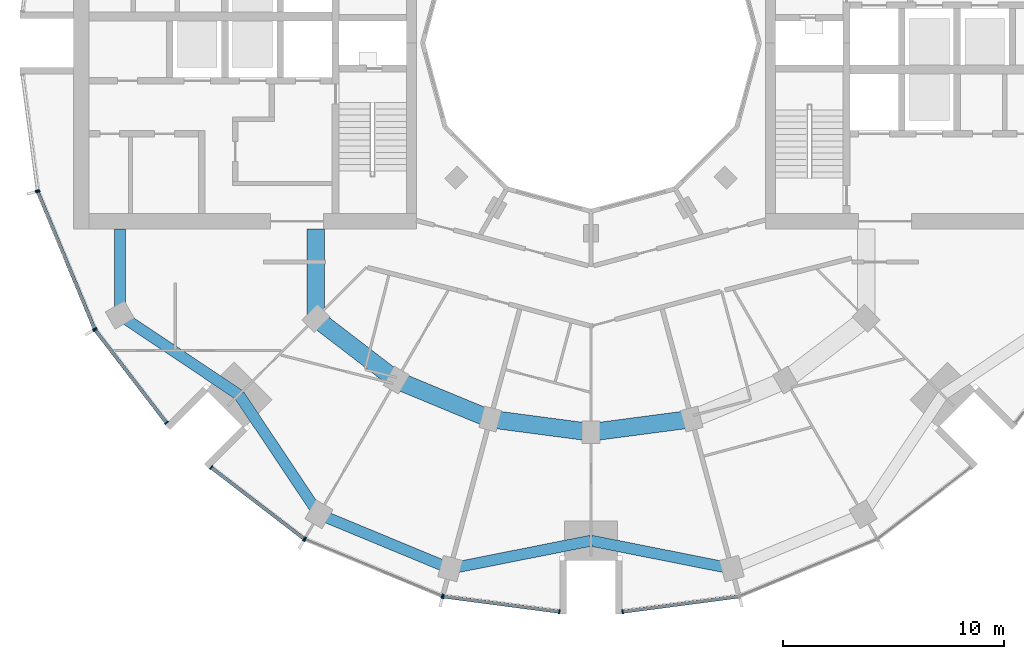
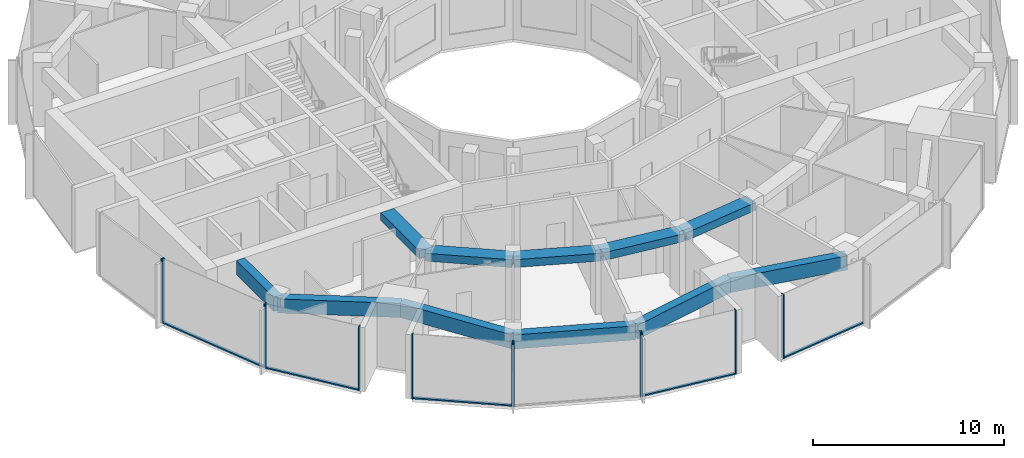
# One storey, part 2 of 15: 17 members, 11 beams, 7 elements without a shape of their own.
"""IFC4 building model written with IfcOpenShell, lengths in metres."""

import ifcopenshell
import ifcopenshell.guid

model = None  # the IFC model being written
_history = None  # IfcOwnerHistory: only IFC2X3 demands one
_inside = {}  # id of a spatial element -> (the spatial element, [elements in it])
_under = {}  # id of a project, library or spatial element -> (it, [spatial elements below it])
_declared = {}  # id of a project -> (the project, [libraries it declares])
_typed = {}  # id of a type object -> (the type object, [elements of that type])
_made_of = {}  # id of a material, layer set ... -> (it, [elements and type objects made of it])


def new_model(schema):
    """Start an empty IFC model of exactly this schema.

    Asked for "IFC4X3", IfcOpenShell would pick the latest addendum, in which some entities
    have other attributes; the version numbers below select the first issue.
    IFC2X3 requires an IfcOwnerHistory on every rooted entity: one is made here for all.
    """
    global model, _history
    if schema == "IFC4X3":
        model = ifcopenshell.file(schema_version=(4, 3, 0, 0))
    else:
        model = ifcopenshell.file(schema=schema)
    _inside.clear()
    _under.clear()
    _declared.clear()
    _typed.clear()
    _made_of.clear()
    _history = None
    if model.schema == "IFC2X3":
        org = make("IfcOrganization", Name="unknown")
        user = make(
            "IfcPersonAndOrganization",
            ThePerson=make("IfcPerson", FamilyName="unknown"),
            TheOrganization=org,
        )
        app = make(
            "IfcApplication",
            ApplicationDeveloper=org,
            Version="unknown",
            ApplicationFullName="unknown",
            ApplicationIdentifier="unknown",
        )
        _history = make(
            "IfcOwnerHistory",
            OwningUser=user,
            OwningApplication=app,
            ChangeAction="ADDED",
            CreationDate=0,
        )
    return model


def make(cls, **values):
    """One entity of the class cls with the attributes given. An attribute that is None is left unset."""
    return model.create_entity(
        cls, **{name: value for name, value in values.items() if value is not None}
    )


def rooted(cls, **values):
    """An entity with a GlobalId (a new one), such as an element, a storey or a relation."""
    return make(cls, GlobalId=ifcopenshell.guid.new(), OwnerHistory=_history, **values)


def si_unit(unit_type, name, prefix=None):
    """IfcSIUnit, for example si_unit("LENGTHUNIT", "METRE", prefix="MILLI")."""
    return make("IfcSIUnit", UnitType=unit_type, Prefix=prefix, Name=name)


def assignment(units):
    """IfcUnitAssignment: the units of a project."""
    return None if units is None else make("IfcUnitAssignment", Units=units)


def point(xyz):
    """IfcCartesianPoint."""
    return None if xyz is None else make("IfcCartesianPoint", Coordinates=xyz)


def direction(xyz):
    """IfcDirection."""
    return None if xyz is None else make("IfcDirection", DirectionRatios=xyz)


def frame(location, z_axis=None, x_axis=None):
    """IfcAxis2Placement3D, a coordinate frame: its origin and axes. An axis left out is left unset."""
    return make(
        "IfcAxis2Placement3D",
        Location=point(location),
        Axis=direction(z_axis),
        RefDirection=direction(x_axis),
    )


def frame_2d(location, x_axis=None):
    """IfcAxis2Placement2D, a coordinate frame in the plane: its origin and x axis."""
    return make(
        "IfcAxis2Placement2D", Location=point(location), RefDirection=direction(x_axis)
    )


def origin():
    """The frame at (0, 0, 0) with its axes left unset."""
    return frame((0.0, 0.0, 0.0))


def origin_2d():
    """The frame at (0, 0) in the plane with its x axis left unset."""
    return frame_2d((0.0, 0.0))


def place(relative_to, where):
    """IfcLocalPlacement: puts the frame where relative to a parent placement (None: the world)."""
    return make(
        "IfcLocalPlacement", PlacementRelTo=relative_to, RelativePlacement=where
    )


def context(
    kind, dimensions, precision=None, world=None, true_north=None, identifier=None
):
    """IfcGeometricRepresentationContext, for example the 3D "Model" context."""
    return make(
        "IfcGeometricRepresentationContext",
        ContextIdentifier=identifier,
        ContextType=kind,
        CoordinateSpaceDimension=dimensions,
        Precision=precision,
        WorldCoordinateSystem=world,
        TrueNorth=true_north,
    )


def subcontext(parent, identifier, kind, view, scale=None):
    """IfcGeometricRepresentationSubContext, for example "Body" below "Model"."""
    return make(
        "IfcGeometricRepresentationSubContext",
        ContextIdentifier=identifier,
        ContextType=kind,
        ParentContext=parent,
        TargetScale=scale,
        TargetView=view,
    )


def project(units=None, contexts=None):
    """IfcProject with its units and contexts."""
    return rooted(
        "IfcProject",
        Name="project",
        RepresentationContexts=contexts,
        UnitsInContext=assignment(units),
    )


def spatial(cls, under=None, at=None, **own):
    """A site, building, storey or space (cls), placed at a placement, below another one or the project."""
    s = rooted(cls, ObjectPlacement=at, **own)
    if under is not None:
        _under.setdefault(under.id(), (under, []))[1].append(s)
    return s


def profile(cls, at=None, kind="AREA", **sizes):
    """A parametric profile (cls). Its sizes go by their IFC names, for example OverallWidth=200.0."""
    return make(cls, ProfileType=kind, Position=at, **sizes)


def rectangle(**sizes):
    """IfcRectangleProfileDef."""
    return profile("IfcRectangleProfileDef", **sizes)


def extrude(swept, where, along, depth):
    """IfcExtrudedAreaSolid: the profile swept, set in the frame where, extruded along a direction by depth."""
    return make(
        "IfcExtrudedAreaSolid",
        SweptArea=swept,
        Position=where,
        ExtrudedDirection=direction(along),
        Depth=depth,
    )


def shape(context_of_items, identifier, shape_type, items):
    """IfcShapeRepresentation: the items that make up one representation, for example the "Body"."""
    return make(
        "IfcShapeRepresentation",
        ContextOfItems=context_of_items,
        RepresentationIdentifier=identifier,
        RepresentationType=shape_type,
        Items=items,
    )


def material(Name=None, Category=None):
    """IfcMaterial."""
    return make("IfcMaterial", Name=Name, Category=Category)


def layer(
    of_material, thickness, ventilated=None, Name=None, Category=None, Priority=None
):
    """IfcMaterialLayer: one layer of a wall or slab, of a material (None: an air gap)."""
    return make(
        "IfcMaterialLayer",
        Material=of_material,
        LayerThickness=thickness,
        IsVentilated=ventilated,
        Name=Name,
        Category=Category,
        Priority=Priority,
    )


def layer_set(layers, Name=None):
    """IfcMaterialLayerSet."""
    return make("IfcMaterialLayerSet", MaterialLayers=layers, LayerSetName=Name)


def material_profile(
    of_material, cross_section, Name=None, Category=None, Priority=None
):
    """IfcMaterialProfile: a cross section and its material."""
    return make(
        "IfcMaterialProfile",
        Name=Name,
        Material=of_material,
        Profile=cross_section,
        Priority=Priority,
        Category=Category,
    )


def profile_set(profiles, Name=None, composite=None):
    """IfcMaterialProfileSet."""
    return make(
        "IfcMaterialProfileSet",
        Name=Name,
        MaterialProfiles=profiles,
        CompositeProfile=composite,
    )


def made_of(thing, what):
    """Note that an element or type object is made of a material, layer set ...; save() writes the relation."""
    if what is not None:
        _made_of.setdefault(what.id(), (what, []))[1].append(thing)
    return thing


def type_object(cls, material=None, **own):
    """A type object (cls), such as IfcWallType, which elements share."""
    return made_of(rooted(cls, **own), material)


def element(
    cls,
    number,
    at=None,
    inside=None,
    cuts=None,
    type_object=None,
    material=None,
    context=None,
    identifier="Body",
    shape_type=None,
    held_by="IfcProductDefinitionShape",
    body=None,
    shapes=None,
    **own,
):
    """One element of the class cls, such as IfcWall. Its Tag is "e" and its number.

    at: its placement. inside: the storey or other place that contains it. cuts: it is an
    opening in that element (IfcRelVoidsElement). A single representation is given by context,
    identifier, shape_type and body (its items); several are given by shapes. held_by: the class
    of the entity that holds the representations. save() writes the other relations.
    """
    e = rooted(cls, Tag="e%d" % number, ObjectPlacement=at, **own)
    if body is not None:
        shapes = [shape(context, identifier, shape_type, body)]
    if shapes is not None:
        e.Representation = make(held_by, Representations=shapes)
    if inside is not None:
        _inside.setdefault(inside.id(), (inside, []))[1].append(e)
    if cuts is not None:
        rooted(
            "IfcRelVoidsElement", RelatingBuildingElement=cuts, RelatedOpeningElement=e
        )
    if type_object is not None:
        _typed.setdefault(type_object.id(), (type_object, []))[1].append(e)
    return made_of(e, material)


def aggregate(whole, parts):
    """IfcRelAggregates: a whole, such as a stair, and the parts it consists of."""
    return rooted("IfcRelAggregates", RelatingObject=whole, RelatedObjects=parts)


def save(model, path):
    """Write the relations noted so far, then the file.

    IfcRelAggregates (storeys below a building ...), IfcRelContainedInSpatialStructure (elements
    in a storey), IfcRelDefinesByType, IfcRelAssociatesMaterial and IfcRelDeclares: one each for
    every whole, place, type object, material and project.
    """
    for whole, parts in _under.values():
        aggregate(whole, parts)
    for where, things in _inside.values():
        rooted(
            "IfcRelContainedInSpatialStructure",
            RelatedElements=things,
            RelatingStructure=where,
        )
    for kind, things in _typed.values():
        rooted("IfcRelDefinesByType", RelatedObjects=things, RelatingType=kind)
    for what, things in _made_of.values():
        rooted("IfcRelAssociatesMaterial", RelatedObjects=things, RelatingMaterial=what)
    for by, libraries in _declared.values():
        rooted("IfcRelDeclares", RelatingContext=by, RelatedDefinitions=libraries)
    model.write(path)


model = new_model("IFC4")

# Units and contexts
model_context = context("Model", 3, precision=1e-05, world=origin(), true_north=direction((0.0, 1.0)))
body_context = subcontext(model_context, "Body", "Model", "MODEL_VIEW")
ifc_project = project(units=[si_unit("LENGTHUNIT", "METRE"), si_unit("AREAUNIT", "SQUARE_METRE"), si_unit("VOLUMEUNIT", "CUBIC_METRE"), si_unit("PLANEANGLEUNIT", "RADIAN"), si_unit("MASSUNIT", "GRAM", prefix="KILO")], contexts=[model_context])

# Site, building, storey
site_placement = place(None, origin())
site = spatial("IfcSite", under=ifc_project, at=site_placement, CompositionType="ELEMENT")
building_placement = place(site_placement, origin())
building = spatial("IfcBuilding", under=site, at=building_placement, Name="Torre Brocal", CompositionType="ELEMENT")
storey_placement = place(building_placement, frame((0.0, 0.0, 186.39990234375)))
storey = spatial("IfcBuildingStorey", under=building, at=storey_placement, Name="L43", CompositionType="ELEMENT", Elevation=186.39990234375)

# Curtain wall, members
ifc_material_1 = material(Name="Aluminium and glass", Category="aluminium")
ifc_layer_1 = layer(ifc_material_1, 0.199951171875)
ifc_layer_set_1 = layer_set([ifc_layer_1], Name="Aluminium and glass")
curtain_wall_type_1 = type_object("IfcCurtainWallType", Name="CW-1 CURTAIN WALL 4100 HIGH", PredefinedType="NOTDEFINED", material=ifc_layer_set_1)
curtain_wall_1_placement = place(storey_placement, origin())
curtain_wall_1 = element("IfcCurtainWall", 1, at=curtain_wall_1_placement, inside=storey, type_object=curtain_wall_type_1, Name="CW-1 RUN 14", PredefinedType="NOTDEFINED")
ifc_material_2 = material(Name="Aluminium, dark anodised", Category="aluminium")
ifc_material_profile_1 = material_profile(ifc_material_2, rectangle(XDim=0.199951171875, YDim=0.06005859375, at=origin_2d()), Name="CW-1 MULLION 60X200")
ifc_profile_set_1 = profile_set([ifc_material_profile_1], Name="Aluminium, dark anodised")
member_type_1 = type_object("IfcMemberType", Name="CW-1 MULLION 60X200", PredefinedType="MULLION", material=ifc_profile_set_1)
member_1_placement = place(storey_placement, frame((54.994873046875, 68.26904296875, 0.0), z_axis=(0.0, 0.0, 1.0), x_axis=(0.923879532525, 0.382683432333, 0.0)))
member_1 = element("IfcMember", 2, at=member_1_placement, type_object=member_type_1, Name="CW1-4 mullion 1", PredefinedType="MULLION", context=body_context, shape_type="SweptSolid", body=[
    extrude(rectangle(XDim=0.199951171875, YDim=0.06005859375, at=origin_2d()), origin(), (0.0, 0.0, 1.0), 4.10009765625),
])
member_2_placement = place(storey_placement, frame((57.559326171875, 62.078125, 0.0), z_axis=(0.0, 0.0, 1.0), x_axis=(0.923879532525, 0.382683432333, 0.0)))
member_2 = element("IfcMember", 3, at=member_2_placement, type_object=member_type_1, Name="CW1-4 mullion 2", PredefinedType="MULLION", context=body_context, shape_type="SweptSolid", body=[
    extrude(rectangle(XDim=0.199951171875, YDim=0.06005859375, at=origin_2d()), origin(), (0.0, 0.0, 1.0), 4.10009765625),
])

curtain_wall_2_placement = place(storey_placement, origin())
curtain_wall_2 = element("IfcCurtainWall", 4, at=curtain_wall_2_placement, inside=storey, type_object=curtain_wall_type_1, Name="CW-1 RUN 15", PredefinedType="NOTDEFINED")
member_3_placement = place(storey_placement, frame((57.5888671875, 62.026611328125, 0.0), z_axis=(0.0, 0.0, 1.0), x_axis=(0.793353340259, 0.60876142905, 0.0)))
member_3 = element("IfcMember", 5, at=member_3_placement, type_object=member_type_1, Name="CW1-4 mullion 1", PredefinedType="MULLION", context=body_context, shape_type="SweptSolid", body=[
    extrude(rectangle(XDim=0.199951171875, YDim=0.06005859375, at=origin_2d()), origin(), (0.0, 0.0, 1.0), 4.10009765625),
])
member_4_placement = place(storey_placement, frame((60.80859375, 57.83056640625, 0.0), z_axis=(0.0, 0.0, 1.0), x_axis=(0.793353340259, 0.60876142905, 0.0)))
member_4 = element("IfcMember", 6, at=member_4_placement, type_object=member_type_1, Name="CW1-4 mullion 2", PredefinedType="MULLION", context=body_context, shape_type="SweptSolid", body=[
    extrude(rectangle(XDim=0.199951171875, YDim=0.06005859375, at=origin_2d()), origin(), (0.0, 0.0, 1.0), 4.10009765625),
])

curtain_wall_3_placement = place(storey_placement, origin())
curtain_wall_3 = element("IfcCurtainWall", 7, at=curtain_wall_3_placement, inside=storey, type_object=curtain_wall_type_1, Name="CW-1 RUN 16", PredefinedType="NOTDEFINED")
member_5_placement = place(storey_placement, frame((62.83056640625, 55.80859375, 0.0), z_axis=(0.0, 0.0, 1.0), x_axis=(0.60876142905, 0.793353340259, 0.0)))
member_5 = element("IfcMember", 8, at=member_5_placement, type_object=member_type_1, Name="CW1-4 mullion 1", PredefinedType="MULLION", context=body_context, shape_type="SweptSolid", body=[
    extrude(rectangle(XDim=0.199951171875, YDim=0.06005859375, at=origin_2d()), origin(), (0.0, 0.0, 1.0), 4.10009765625),
])
member_6_placement = place(storey_placement, frame((67.026611328125, 52.5888671875, 0.0), z_axis=(0.0, 0.0, 1.0), x_axis=(0.60876142905, 0.793353340259, 0.0)))
member_6 = element("IfcMember", 9, at=member_6_placement, type_object=member_type_1, Name="CW1-4 mullion 2", PredefinedType="MULLION", context=body_context, shape_type="SweptSolid", body=[
    extrude(rectangle(XDim=0.199951171875, YDim=0.06005859375, at=origin_2d()), origin(), (0.0, 0.0, 1.0), 4.10009765625),
])

curtain_wall_4_placement = place(storey_placement, origin())
curtain_wall_4 = element("IfcCurtainWall", 10, at=curtain_wall_4_placement, inside=storey, type_object=curtain_wall_type_1, Name="CW-1 RUN 17", PredefinedType="NOTDEFINED")
member_7_placement = place(storey_placement, frame((67.078125, 52.559326171875, 0.0), z_axis=(0.0, 0.0, 1.0), x_axis=(0.382683432333, 0.923879532525, 0.0)))
member_7 = element("IfcMember", 11, at=member_7_placement, type_object=member_type_1, Name="CW1-4 mullion 1", PredefinedType="MULLION", context=body_context, shape_type="SweptSolid", body=[
    extrude(rectangle(XDim=0.199951171875, YDim=0.06005859375, at=origin_2d()), origin(), (0.0, 0.0, 1.0), 4.10009765625),
])
member_8_placement = place(storey_placement, frame((73.26904296875, 49.994873046875, 0.0), z_axis=(0.0, 0.0, 1.0), x_axis=(0.382683432333, 0.923879532525, 0.0)))
member_8 = element("IfcMember", 12, at=member_8_placement, type_object=member_type_1, Name="CW1-4 mullion 2", PredefinedType="MULLION", context=body_context, shape_type="SweptSolid", body=[
    extrude(rectangle(XDim=0.199951171875, YDim=0.06005859375, at=origin_2d()), origin(), (0.0, 0.0, 1.0), 4.10009765625),
])
aggregate(curtain_wall_4, [member_7, member_8])

curtain_wall_5_placement = place(storey_placement, origin())
curtain_wall_5 = element("IfcCurtainWall", 13, at=curtain_wall_5_placement, inside=storey, type_object=curtain_wall_type_1, Name="CW-1 RUN 18", PredefinedType="NOTDEFINED")
member_9_placement = place(storey_placement, frame((73.32666015625, 49.9794921875, 0.0), z_axis=(0.0, 0.0, 1.0), x_axis=(0.13052619222, 0.991444861374, 0.0)))
member_9 = element("IfcMember", 14, at=member_9_placement, type_object=member_type_1, Name="CW1-4 mullion 1", PredefinedType="MULLION", context=body_context, shape_type="SweptSolid", body=[
    extrude(rectangle(XDim=0.199951171875, YDim=0.06005859375, at=origin_2d()), origin(), (0.0, 0.0, 1.0), 4.10009765625),
])
member_10_placement = place(storey_placement, frame((78.5703125, 49.2890625, 0.0), z_axis=(0.0, 0.0, 1.0), x_axis=(0.13052619222, 0.991444861374, 0.0)))
member_10 = element("IfcMember", 15, at=member_10_placement, type_object=member_type_1, Name="CW1-4 mullion 2", PredefinedType="MULLION", context=body_context, shape_type="SweptSolid", body=[
    extrude(rectangle(XDim=0.199951171875, YDim=0.06005859375, at=origin_2d()), origin(), (0.0, 0.0, 1.0), 4.10009765625),
])

# Curtain wall, member
curtain_wall_6_placement = place(storey_placement, origin())
curtain_wall_6 = element("IfcCurtainWall", 16, at=curtain_wall_6_placement, inside=storey, type_object=curtain_wall_type_1, Name="CW-1 RUN 19", PredefinedType="NOTDEFINED")
member_11_placement = place(storey_placement, frame((81.4296875, 49.2890625, 0.0), z_axis=(0.0, 0.0, 1.0), x_axis=(-0.13052619222, 0.991444861374, 0.0)))
member_11 = element("IfcMember", 17, at=member_11_placement, type_object=member_type_1, Name="CW1-4 mullion 1", PredefinedType="MULLION", context=body_context, shape_type="SweptSolid", body=[
    extrude(rectangle(XDim=0.199951171875, YDim=0.06005859375, at=origin_2d()), origin(), (0.0, 0.0, 1.0), 4.10009765625),
])

# Member
ifc_material_3 = material(Name="Aluminium, dark anodised", Category="aluminium")
ifc_material_profile_2 = material_profile(ifc_material_3, rectangle(XDim=0.159912109375, YDim=0.080078125, at=origin_2d()), Name="CW-1 TRANSOM 160X80")
ifc_profile_set_2 = profile_set([ifc_material_profile_2], Name="Aluminium, dark anodised")
member_type_2 = type_object("IfcMemberType", Name="CW-1 TRANSOM 160X80", PredefinedType="USERDEFINED", material=ifc_profile_set_2)
member_12_placement = place(storey_placement, frame((55.00634765625, 68.241455078125, 0.0400390625), z_axis=(0.38266457234, -0.923887344364, 0.0), x_axis=(0.923887344364, 0.38266457234, 0.0)))
member_12 = element("IfcMember", 18, at=member_12_placement, type_object=member_type_2, Name="CW1-4 transom 1.1", ObjectType="TRANSOM", PredefinedType="USERDEFINED", context=body_context, shape_type="SweptSolid", body=[
    extrude(rectangle(XDim=0.159912109375, YDim=0.080078125, at=origin_2d()), origin(), (0.0, 0.0, 1.0), 6.640869140625),
])

aggregate(curtain_wall_1, [member_1, member_2, member_12])

member_13_placement = place(storey_placement, frame((57.607177734375, 62.0029296875, 0.0400390625), z_axis=(0.60874908096, -0.79336281513, 0.0), x_axis=(0.79336281513, 0.60874908096, 0.0)))
member_13 = element("IfcMember", 19, at=member_13_placement, type_object=member_type_2, Name="CW1-4 transom 1.1", ObjectType="TRANSOM", PredefinedType="USERDEFINED", context=body_context, shape_type="SweptSolid", body=[
    extrude(rectangle(XDim=0.159912109375, YDim=0.080078125, at=origin_2d()), origin(), (0.0, 0.0, 1.0), 5.22900390625),
])

aggregate(curtain_wall_2, [member_3, member_4, member_13])

member_14_placement = place(storey_placement, frame((62.8544921875, 55.790283203125, 0.0400390625), z_axis=(0.79336281513, -0.60874908096, 0.0), x_axis=(0.60874908096, 0.79336281513, 0.0)))
member_14 = element("IfcMember", 20, at=member_14_placement, type_object=member_type_2, Name="CW1-4 transom 1.1", ObjectType="TRANSOM", PredefinedType="USERDEFINED", context=body_context, shape_type="SweptSolid", body=[
    extrude(rectangle(XDim=0.159912109375, YDim=0.080078125, at=origin_2d()), origin(), (0.0, 0.0, 1.0), 5.22900390625),
])

aggregate(curtain_wall_3, [member_5, member_6, member_14])

member_15_placement = place(storey_placement, frame((73.356201171875, 49.9755859375, 0.0400390625), z_axis=(0.991442690863, -0.130542677827, 0.0), x_axis=(0.130542677827, 0.991442690863, 0.0)))
member_15 = element("IfcMember", 21, at=member_15_placement, type_object=member_type_2, Name="CW1-4 transom 1.1", ObjectType="TRANSOM", PredefinedType="USERDEFINED", context=body_context, shape_type="SweptSolid", body=[
    extrude(rectangle(XDim=0.159912109375, YDim=0.080078125, at=origin_2d()), origin(), (0.0, 0.0, 1.0), 5.22900390625),
])

aggregate(curtain_wall_5, [member_9, member_10, member_15])

member_16_placement = place(storey_placement, frame((81.45947265625, 49.29296875, 0.0400390625), z_axis=(0.991442690863, 0.130542677827, 0.0), x_axis=(-0.130542677827, 0.991442690863, 0.0)))
member_16 = element("IfcMember", 22, at=member_16_placement, type_object=member_type_2, Name="CW1-4 transom 1.1", ObjectType="TRANSOM", PredefinedType="USERDEFINED", context=body_context, shape_type="SweptSolid", body=[
    extrude(rectangle(XDim=0.159912109375, YDim=0.080078125, at=origin_2d()), origin(), (0.0, 0.0, 1.0), 5.22900390625),
])

aggregate(curtain_wall_6, [member_11, member_16])

# Curtain wall, member
ifc_material_4 = material(Name="Aluminium and glass", Category="aluminium")
ifc_layer_2 = layer(ifc_material_4, 0.199951171875)
ifc_layer_set_2 = layer_set([ifc_layer_2], Name="Aluminium and glass")
curtain_wall_type_2 = type_object("IfcCurtainWallType", Name="CW-1B CURTAIN WALL 4100 HIGH", PredefinedType="NOTDEFINED", material=ifc_layer_set_2)
curtain_wall_7_placement = place(storey_placement, origin())
curtain_wall_7 = element("IfcCurtainWall", 23, at=curtain_wall_7_placement, inside=storey, type_object=curtain_wall_type_2, Name="CW-1B RUN 13", PredefinedType="NOTDEFINED")
ifc_material_5 = material(Name="Aluminium, dark anodised", Category="aluminium")
ifc_material_profile_3 = material_profile(ifc_material_5, rectangle(XDim=0.199951171875, YDim=0.06005859375, at=origin_2d()), Name="CW-1B MULLION 60X200")
ifc_profile_set_3 = profile_set([ifc_material_profile_3], Name="Aluminium, dark anodised")
member_type_3 = type_object("IfcMemberType", Name="CW-1B MULLION 60X200", PredefinedType="MULLION", material=ifc_profile_set_3)
member_17_placement = place(storey_placement, frame((54.9794921875, 68.32666015625, 0.0), z_axis=(0.0, 0.0, 1.0), x_axis=(0.991444861374, 0.13052619222, 0.0)))
member_17 = element("IfcMember", 24, at=member_17_placement, type_object=member_type_3, Name="CW1B-4 mullion 2", PredefinedType="MULLION", context=body_context, shape_type="SweptSolid", body=[
    extrude(rectangle(XDim=0.199951171875, YDim=0.06005859375, at=origin_2d()), origin(), (0.0, 0.0, 1.0), 4.10009765625),
])
aggregate(curtain_wall_7, [member_17])

# Beams
ifc_material_6 = material(Name="Concrete C50", Category="concrete")
ifc_material_profile_4 = material_profile(ifc_material_6, rectangle(XDim=0.800048828125, YDim=0.5, at=origin_2d()), Name="RC 800X500")
ifc_profile_set_4 = profile_set([ifc_material_profile_4], Name="Concrete C50")
beam_type_1 = type_object("IfcBeamType", Name="RC BEAM 800X500 C50 TOP 3780", PredefinedType="BEAM", material=ifc_profile_set_4)
beam_1_placement = place(storey_placement, frame((67.554931640625, 62.554931640625, 3.530029296875), z_axis=(0.0, 1.0, 0.0), x_axis=(-1.0, 0.0, 0.0)))
element("IfcBeam", 25, at=beam_1_placement, inside=storey, type_object=beam_type_1, Name="Beam BT-32", PredefinedType="BEAM", context=body_context, shape_type="SweptSolid", body=[
    extrude(rectangle(XDim=0.800048828125, YDim=0.5, at=origin_2d()), origin(), (0.0, 0.0, 1.0), 4.045166015625),
])
beam_2_placement = place(storey_placement, frame((67.554931640625, 62.554931640625, 3.530029296875), z_axis=(0.793358265959, -0.6087550097, 0.0), x_axis=(0.6087550097, 0.793358265959, 0.0)))
element("IfcBeam", 26, at=beam_2_placement, inside=storey, type_object=beam_type_1, Name="Beam BT-32", PredefinedType="BEAM", context=body_context, shape_type="SweptSolid", body=[
    extrude(rectangle(XDim=0.800048828125, YDim=0.5, at=origin_2d()), origin(), (0.0, 0.0, 1.0), 4.594482421875),
])
beam_3_placement = place(storey_placement, frame((71.199951171875, 59.758056640625, 3.530029296875), z_axis=(0.923878240166, -0.382686552348, 0.0), x_axis=(0.382686552348, 0.923878240166, 0.0)))
element("IfcBeam", 27, at=beam_3_placement, inside=storey, type_object=beam_type_1, Name="Beam BT-32", PredefinedType="BEAM", context=body_context, shape_type="SweptSolid", body=[
    extrude(rectangle(XDim=0.800048828125, YDim=0.5, at=origin_2d()), origin(), (0.0, 0.0, 1.0), 4.5947265625),
])
for number, where, z_axis, x_axis, name in (
    (28, (75.44482421875, 57.999755859375, 3.530029296875), (0.991440544449, -0.130558978332, 0.0), (0.130558978332, 0.991440544449, 0.0), "Beam BT-32"),
    (29, (80.0, 57.39990234375, 3.530029296875), (0.991440544449, 0.130558978332, 0.0), (-0.130558978332, 0.991440544449, 0.0), "Beam BT-32"),
):
    element("IfcBeam", number, at=place(storey_placement, frame(where, z_axis=z_axis, x_axis=x_axis)), inside=storey, type_object=beam_type_1, Name=name, PredefinedType="BEAM", context=body_context, shape_type="SweptSolid", body=[
        extrude(rectangle(XDim=0.800048828125, YDim=0.5, at=origin_2d()), origin(), (0.0, 0.0, 1.0), 4.594482421875),
    ])
ifc_material_7 = material(Name="Concrete C50", Category="concrete")
ifc_material_profile_5 = material_profile(ifc_material_7, rectangle(XDim=0.5, YDim=0.89990234375, at=origin_2d()), Name="RC 500X900")
ifc_profile_set_5 = profile_set([ifc_material_profile_5], Name="Concrete C50")
beam_type_2 = type_object("IfcBeamType", Name="RC SPANDREL BEAM 500X900 C50 TOP 3780", PredefinedType="SPANDREL", material=ifc_profile_set_5)
beam_4_placement = place(storey_placement, frame((58.69580078125, 62.699951171875, 3.330078125), z_axis=(0.0, 1.0, 0.0), x_axis=(-1.0, 0.0, 0.0)))
element("IfcBeam", 30, at=beam_4_placement, inside=storey, type_object=beam_type_2, Name="Beam BT-33", PredefinedType="SPANDREL", context=body_context, shape_type="SweptSolid", body=[
    extrude(rectangle(XDim=0.5, YDim=0.89990234375, at=origin_2d()), origin(), (0.0, 0.0, 1.0), 3.900146484375),
])
for number, where, z_axis, x_axis, name in (
    (31, (58.69580078125, 62.699951171875, 3.330078125), (0.831076844476, -0.556157602282, 0.0), (0.556157602282, 0.831076844476, 0.0), "Beam BT-33"),
    (32, (64.090087890625, 59.090087890625, 3.330078125), (0.556157602282, -0.831076844476, 0.0), (0.831076844476, 0.556157602282, 0.0), "Beam BT-33"),
):
    element("IfcBeam", number, at=place(storey_placement, frame(where, z_axis=z_axis, x_axis=x_axis)), inside=storey, type_object=beam_type_2, Name=name, PredefinedType="SPANDREL", context=body_context, shape_type="SweptSolid", body=[
        extrude(rectangle(XDim=0.5, YDim=0.89990234375, at=origin_2d()), origin(), (0.0, 0.0, 1.0), 6.49072265625),
    ])
beam_5_placement = place(storey_placement, frame((67.699951171875, 53.69580078125, 3.330078125), z_axis=(0.923882462513, -0.382676358639, 0.0), x_axis=(0.382676358639, 0.923882462513, 0.0)))
element("IfcBeam", 33, at=beam_5_placement, inside=storey, type_object=beam_type_2, Name="Beam BT-33", PredefinedType="SPANDREL", context=body_context, shape_type="SweptSolid", body=[
    extrude(rectangle(XDim=0.5, YDim=0.89990234375, at=origin_2d()), origin(), (0.0, 0.0, 1.0), 6.421875),
])
for number, where, z_axis, x_axis, name in (
    (34, (73.633056640625, 51.23828125, 3.330078125), (0.980924907484, 0.194387051723, 0.0), (-0.194387051723, 0.980924907484, 0.0), "Beam BT-33"),
    (35, (80.0, 52.5, 3.330078125), (0.980924907484, -0.194387051723, 0.0), (0.194387051723, 0.980924907484, 0.0), "Beam BT-33"),
):
    element("IfcBeam", number, at=place(storey_placement, frame(where, z_axis=z_axis, x_axis=x_axis)), inside=storey, type_object=beam_type_2, Name=name, PredefinedType="SPANDREL", context=body_context, shape_type="SweptSolid", body=[
        extrude(rectangle(XDim=0.5, YDim=0.89990234375, at=origin_2d()), origin(), (0.0, 0.0, 1.0), 6.49072265625),
    ])

save(model, "model.ifc")
